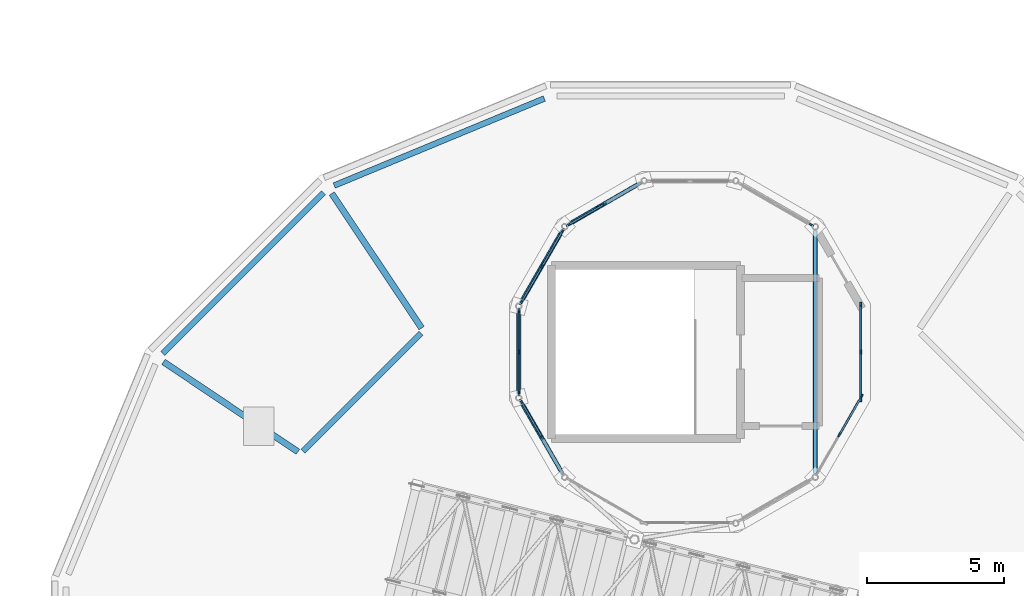
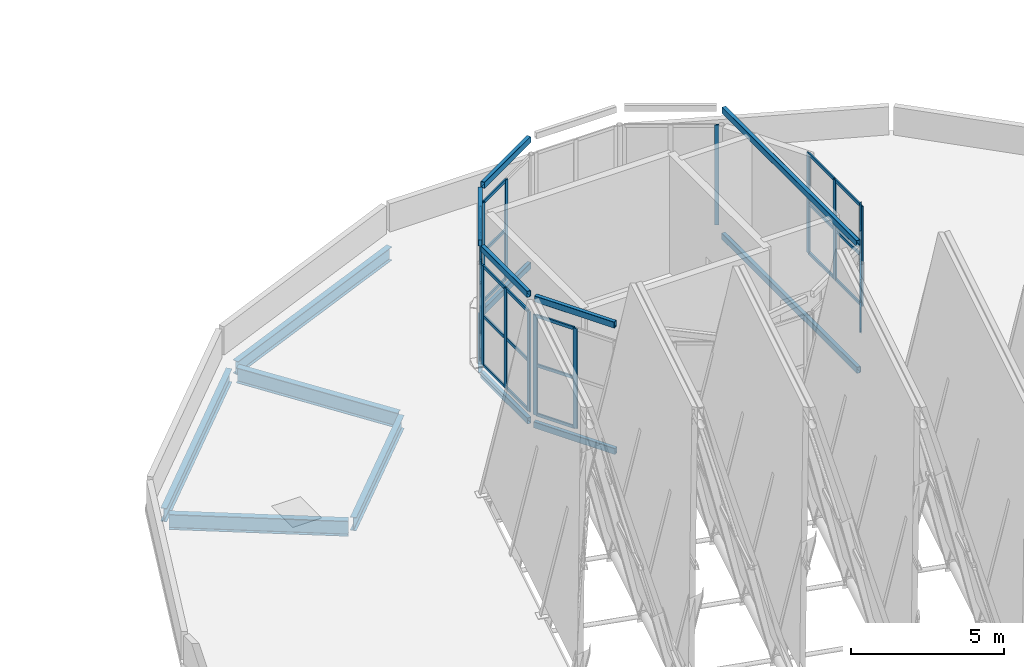
# One storey, part 15 of 51: 43 members, 15 beams, 7 elements without a shape of their own.
"""IFC4 building model written with IfcOpenShell, lengths in metres."""

from ifc_helpers import new_model, si_unit, direction, frame, origin, origin_2d, place, context, subcontext, project, spatial, rectangle, hollow_rectangle, i_section, extrude, material, material_profile, profile_set, type_object, element, aggregate, save


model = new_model("IFC4")

# Units and contexts
model_context = context("Model", 3, precision=1e-05, world=origin(), true_north=direction((0.0, 1.0)))
body_context = subcontext(model_context, "Body", "Model", "MODEL_VIEW")
ifc_project = project(units=[si_unit("LENGTHUNIT", "METRE"), si_unit("AREAUNIT", "SQUARE_METRE"), si_unit("VOLUMEUNIT", "CUBIC_METRE"), si_unit("PLANEANGLEUNIT", "RADIAN"), si_unit("MASSUNIT", "GRAM", prefix="KILO")], contexts=[model_context])

# Site, building, storey
site_placement = place(None, origin())
site = spatial("IfcSite", under=ifc_project, at=site_placement, CompositionType="ELEMENT")
building_placement = place(site_placement, origin())
building = spatial("IfcBuilding", under=site, at=building_placement, Name="Wrenclough Park School", CompositionType="ELEMENT")
storey_placement = place(building_placement, frame((0.0, 0.0, 16.800048828125)))
storey = spatial("IfcBuildingStorey", under=building, at=storey_placement, Name="L04", CompositionType="ELEMENT", Elevation=16.800048828125)

# Curtain wall, member
ifc_material_1 = material(Name="Thermally broken aluminium and low-e glass curtain wall", Category="aluminium")
curtain_wall_type = type_object("IfcCurtainWallType", Name="ENV-CW-16", PredefinedType="USERDEFINED", material=ifc_material_1)
curtain_wall_1_placement = place(storey_placement, origin())
curtain_wall_1 = element("IfcCurtainWall", 1, at=curtain_wall_1_placement, inside=storey, type_object=curtain_wall_type, Name="D1-SH cylindrical white-glazed stair-head curtain wall 179", ObjectType="CURTAIN WALL", PredefinedType="USERDEFINED")
ifc_material_2 = material(Name="Thermally broken anodised aluminium", Category="aluminium")
ifc_material_profile_1 = material_profile(ifc_material_2, rectangle(XDim=0.06005859375, YDim=0.159912109375, at=origin_2d()), Name="AL MULLION 60x160")
ifc_profile_set_1 = profile_set([ifc_material_profile_1], Name="Thermally broken anodised aluminium")
member_type_1 = type_object("IfcMemberType", Name="ENV-CWM-1", PredefinedType="MULLION", material=ifc_profile_set_1)
member_1_placement = place(storey_placement, frame((160.62109375, 43.82763671875, 0.0), z_axis=(0.0, 0.0, 1.0), x_axis=(-0.500002592159, -0.866023907196, 0.0)))
member_1 = element("IfcMember", 2, at=member_1_placement, type_object=member_type_1, Name="CW-16 mullion 1", PredefinedType="MULLION", context=body_context, shape_type="SweptSolid", body=[
    extrude(rectangle(XDim=0.06005859375, YDim=0.159912109375, at=origin_2d()), origin(), (0.0, 0.0, 1.0), 4.0),
])
aggregate(curtain_wall_1, [member_1])

# Curtain wall, members
curtain_wall_2_placement = place(storey_placement, origin())
curtain_wall_2 = element("IfcCurtainWall", 3, at=curtain_wall_2_placement, inside=storey, type_object=curtain_wall_type, Name="D1-SH cylindrical white-glazed stair-head curtain wall 181", ObjectType="CURTAIN WALL", PredefinedType="USERDEFINED")
member_2_placement = place(storey_placement, frame((153.0908203125, 44.585205078125, 0.0), z_axis=(0.0, 0.0, 1.0), x_axis=(0.500002592159, -0.866023907196, 0.0)))
member_2 = element("IfcMember", 4, at=member_2_placement, type_object=member_type_1, Name="CW-16 mullion 2", PredefinedType="MULLION", context=body_context, shape_type="SweptSolid", body=[
    extrude(rectangle(XDim=0.06005859375, YDim=0.159912109375, at=origin_2d()), origin(), (0.0, 0.0, 1.0), 4.0),
])
member_3_placement = place(storey_placement, frame((151.77880859375, 43.82763671875, 0.0), z_axis=(0.0, 0.0, 1.0), x_axis=(0.500002592159, -0.866023907196, 0.0)))
member_3 = element("IfcMember", 5, at=member_3_placement, type_object=member_type_1, Name="CW-16 mullion 3", PredefinedType="MULLION", context=body_context, shape_type="SweptSolid", body=[
    extrude(rectangle(XDim=0.06005859375, YDim=0.159912109375, at=origin_2d()), origin(), (0.0, 0.0, 1.0), 4.0),
])

curtain_wall_3_placement = place(storey_placement, origin())
curtain_wall_3 = element("IfcCurtainWall", 6, at=curtain_wall_3_placement, inside=storey, type_object=curtain_wall_type, Name="D1-SH cylindrical white-glazed stair-head curtain wall 182", ObjectType="CURTAIN WALL", PredefinedType="USERDEFINED")
member_4_placement = place(storey_placement, frame((151.572265625, 43.62109375, 0.0), z_axis=(0.0, 0.0, 1.0), x_axis=(0.866023907196, -0.500002592159, 0.0)))
member_4 = element("IfcMember", 7, at=member_4_placement, type_object=member_type_1, Name="CW-16 mullion 1", PredefinedType="MULLION", context=body_context, shape_type="SweptSolid", body=[
    extrude(rectangle(XDim=0.06005859375, YDim=0.159912109375, at=origin_2d()), origin(), (0.0, 0.0, 1.0), 4.0),
])
member_5_placement = place(storey_placement, frame((150.814697265625, 42.30908203125, 0.0), z_axis=(0.0, 0.0, 1.0), x_axis=(0.866023907196, -0.500002592159, 0.0)))
member_5 = element("IfcMember", 8, at=member_5_placement, type_object=member_type_1, Name="CW-16 mullion 2", PredefinedType="MULLION", context=body_context, shape_type="SweptSolid", body=[
    extrude(rectangle(XDim=0.06005859375, YDim=0.159912109375, at=origin_2d()), origin(), (0.0, 0.0, 1.0), 4.0),
])
member_6_placement = place(storey_placement, frame((150.057373046875, 40.9970703125, 0.0), z_axis=(0.0, 0.0, 1.0), x_axis=(0.866023907196, -0.500002592159, 0.0)))
member_6 = element("IfcMember", 9, at=member_6_placement, type_object=member_type_1, Name="CW-16 mullion 3", PredefinedType="MULLION", context=body_context, shape_type="SweptSolid", body=[
    extrude(rectangle(XDim=0.06005859375, YDim=0.159912109375, at=origin_2d()), origin(), (0.0, 0.0, 1.0), 4.0),
])

curtain_wall_4_placement = place(storey_placement, origin())
curtain_wall_4 = element("IfcCurtainWall", 10, at=curtain_wall_4_placement, inside=storey, type_object=curtain_wall_type, Name="D1-SH cylindrical white-glazed stair-head curtain wall 183", ObjectType="CURTAIN WALL", PredefinedType="USERDEFINED")
member_7_placement = place(storey_placement, frame((149.981689453125, 40.714599609375, 0.0), z_axis=(0.0, 0.0, 1.0), x_axis=(1.0, 0.0, 0.0)))
member_7 = element("IfcMember", 11, at=member_7_placement, type_object=member_type_1, Name="CW-16 mullion 1", PredefinedType="MULLION", context=body_context, shape_type="SweptSolid", body=[
    extrude(rectangle(XDim=0.06005859375, YDim=0.159912109375, at=origin_2d()), origin(), (0.0, 0.0, 1.0), 4.0),
])
member_8_placement = place(storey_placement, frame((149.981689453125, 39.199951171875, 0.0), z_axis=(0.0, 0.0, 1.0), x_axis=(1.0, 0.0, 0.0)))
member_8 = element("IfcMember", 12, at=member_8_placement, type_object=member_type_1, Name="CW-16 mullion 2", PredefinedType="MULLION", context=body_context, shape_type="SweptSolid", body=[
    extrude(rectangle(XDim=0.06005859375, YDim=0.159912109375, at=origin_2d()), origin(), (0.0, 0.0, 1.0), 4.0),
])
member_9_placement = place(storey_placement, frame((149.981689453125, 37.685546875, 0.0), z_axis=(0.0, 0.0, 1.0), x_axis=(1.0, 0.0, 0.0)))
member_9 = element("IfcMember", 13, at=member_9_placement, type_object=member_type_1, Name="CW-16 mullion 3", PredefinedType="MULLION", context=body_context, shape_type="SweptSolid", body=[
    extrude(rectangle(XDim=0.06005859375, YDim=0.159912109375, at=origin_2d()), origin(), (0.0, 0.0, 1.0), 4.0),
])

curtain_wall_5_placement = place(storey_placement, origin())
curtain_wall_5 = element("IfcCurtainWall", 14, at=curtain_wall_5_placement, inside=storey, type_object=curtain_wall_type, Name="D1-SH cylindrical white-glazed stair-head curtain wall 184", ObjectType="CURTAIN WALL", PredefinedType="USERDEFINED")
member_10_placement = place(storey_placement, frame((150.057373046875, 37.40283203125, 0.0), z_axis=(0.0, 0.0, 1.0), x_axis=(0.866023907196, 0.500002592159, 0.0)))
member_10 = element("IfcMember", 15, at=member_10_placement, type_object=member_type_1, Name="CW-16 mullion 1", PredefinedType="MULLION", context=body_context, shape_type="SweptSolid", body=[
    extrude(rectangle(XDim=0.06005859375, YDim=0.159912109375, at=origin_2d()), origin(), (0.0, 0.0, 1.0), 4.0),
])
member_11_placement = place(storey_placement, frame((150.814697265625, 36.0908203125, 0.0), z_axis=(0.0, 0.0, 1.0), x_axis=(0.866023907196, 0.500002592159, 0.0)))
member_11 = element("IfcMember", 16, at=member_11_placement, type_object=member_type_1, Name="CW-16 mullion 2", PredefinedType="MULLION", context=body_context, shape_type="SweptSolid", body=[
    extrude(rectangle(XDim=0.06005859375, YDim=0.159912109375, at=origin_2d()), origin(), (0.0, 0.0, 1.0), 4.0),
])

curtain_wall_6_placement = place(storey_placement, origin())
curtain_wall_6 = element("IfcCurtainWall", 17, at=curtain_wall_6_placement, inside=storey, type_object=curtain_wall_type, Name="D1-SH cylindrical white-glazed stair-head curtain wall 188", ObjectType="CURTAIN WALL", PredefinedType="USERDEFINED")
member_12_placement = place(storey_placement, frame((161.638916015625, 36.183837890625, 0.0), z_axis=(0.0, 0.0, 1.0), x_axis=(-0.86601678316, 0.500014931062, 0.0)))
member_12 = element("IfcMember", 18, at=member_12_placement, type_object=member_type_1, Name="CW-16 mullion 2", PredefinedType="MULLION", context=body_context, shape_type="SweptSolid", body=[
    extrude(rectangle(XDim=0.06005859375, YDim=0.159912109375, at=origin_2d()), origin(), (0.0, 0.0, 1.0), 4.0),
])
member_13_placement = place(storey_placement, frame((162.4501953125, 37.589111328125, 0.0), z_axis=(0.0, 0.0, 1.0), x_axis=(-0.86601678316, 0.500014931062, 0.0)))
member_13 = element("IfcMember", 19, at=member_13_placement, type_object=member_type_1, Name="CW-16 mullion 3", PredefinedType="MULLION", context=body_context, shape_type="SweptSolid", body=[
    extrude(rectangle(XDim=0.06005859375, YDim=0.159912109375, at=origin_2d()), origin(), (0.0, 0.0, 1.0), 4.0),
])

curtain_wall_7_placement = place(storey_placement, origin())
curtain_wall_7 = element("IfcCurtainWall", 20, at=curtain_wall_7_placement, inside=storey, type_object=curtain_wall_type, Name="D1-SH cylindrical white-glazed stair-head curtain wall 189", ObjectType="CURTAIN WALL", PredefinedType="USERDEFINED")
member_14_placement = place(storey_placement, frame((162.418212890625, 37.469970703125, 0.0), z_axis=(0.0, 0.0, 1.0), x_axis=(-1.0, 0.0, 0.0)))
member_14 = element("IfcMember", 21, at=member_14_placement, type_object=member_type_1, Name="CW-16 mullion 1", PredefinedType="MULLION", context=body_context, shape_type="SweptSolid", body=[
    extrude(rectangle(XDim=0.06005859375, YDim=0.159912109375, at=origin_2d()), origin(), (0.0, 0.0, 1.0), 4.0),
])
member_15_placement = place(storey_placement, frame((162.418212890625, 39.199951171875, 0.0), z_axis=(0.0, 0.0, 1.0), x_axis=(-1.0, 0.0, 0.0)))
member_15 = element("IfcMember", 22, at=member_15_placement, type_object=member_type_1, Name="CW-16 mullion 2", PredefinedType="MULLION", context=body_context, shape_type="SweptSolid", body=[
    extrude(rectangle(XDim=0.06005859375, YDim=0.159912109375, at=origin_2d()), origin(), (0.0, 0.0, 1.0), 4.0),
])
member_16_placement = place(storey_placement, frame((162.418212890625, 40.929931640625, 0.0), z_axis=(0.0, 0.0, 1.0), x_axis=(-1.0, 0.0, 0.0)))
member_16 = element("IfcMember", 23, at=member_16_placement, type_object=member_type_1, Name="CW-16 mullion 3", PredefinedType="MULLION", context=body_context, shape_type="SweptSolid", body=[
    extrude(rectangle(XDim=0.06005859375, YDim=0.159912109375, at=origin_2d()), origin(), (0.0, 0.0, 1.0), 4.0),
])

# Member
ifc_material_profile_2 = material_profile(ifc_material_2, rectangle(XDim=0.06005859375, YDim=0.1201171875, at=origin_2d()), Name="AL TRANSOM 60x120")
ifc_profile_set_2 = profile_set([ifc_material_profile_2], Name="Thermally broken anodised aluminium")
member_type_2 = type_object("IfcMemberType", Name="ENV-CWT-1", PredefinedType="USERDEFINED", material=ifc_profile_set_2)
member_17_placement = place(storey_placement, frame((153.06494140625, 44.5703125, 0.030029296875), z_axis=(-0.866003949776, -0.500037157592, 0.0), x_axis=(0.500037157592, -0.866003949776, 0.0)))
member_17 = element("IfcMember", 24, at=member_17_placement, type_object=member_type_2, Name="CW-16 transom 2.1", ObjectType="TRANSOM", PredefinedType="USERDEFINED", context=body_context, shape_type="SweptSolid", body=[
    extrude(rectangle(XDim=0.06005859375, YDim=0.1201171875, at=origin_2d()), origin(), (0.0, 0.0, 1.0), 1.455078125),
])

member_18_placement = place(storey_placement, frame((153.06494140625, 44.5703125, 2.0), z_axis=(-0.866003949776, -0.500037157592, 0.0), x_axis=(0.500037157592, -0.866003949776, 0.0)))
member_18 = element("IfcMember", 25, at=member_18_placement, type_object=member_type_2, Name="CW-16 transom 2.2", ObjectType="TRANSOM", PredefinedType="USERDEFINED", context=body_context, shape_type="SweptSolid", body=[
    extrude(rectangle(XDim=0.06005859375, YDim=0.1201171875, at=origin_2d()), origin(), (0.0, 0.0, 1.0), 1.455078125),
])

member_19_placement = place(storey_placement, frame((153.06494140625, 44.5703125, 3.969970703125), z_axis=(-0.866003949776, -0.500037157592, 0.0), x_axis=(0.500037157592, -0.866003949776, 0.0)))
member_19 = element("IfcMember", 26, at=member_19_placement, type_object=member_type_2, Name="CW-16 transom 2.3", ObjectType="TRANSOM", PredefinedType="USERDEFINED", context=body_context, shape_type="SweptSolid", body=[
    extrude(rectangle(XDim=0.06005859375, YDim=0.1201171875, at=origin_2d()), origin(), (0.0, 0.0, 1.0), 1.455078125),
])

aggregate(curtain_wall_2, [member_2, member_3, member_17, member_18, member_19])

member_20_placement = place(storey_placement, frame((151.557373046875, 43.59521484375, 0.030029296875), z_axis=(-0.499964504253, -0.866045896294, 0.0), x_axis=(0.866045896294, -0.499964504253, 0.0)))
member_20 = element("IfcMember", 27, at=member_20_placement, type_object=member_type_2, Name="CW-16 transom 1.1", ObjectType="TRANSOM", PredefinedType="USERDEFINED", context=body_context, shape_type="SweptSolid", body=[
    extrude(rectangle(XDim=0.06005859375, YDim=0.1201171875, at=origin_2d()), origin(), (0.0, 0.0, 1.0), 1.455078125),
])

member_21_placement = place(storey_placement, frame((151.557373046875, 43.59521484375, 2.0), z_axis=(-0.499964504253, -0.866045896294, 0.0), x_axis=(0.866045896294, -0.499964504253, 0.0)))
member_21 = element("IfcMember", 28, at=member_21_placement, type_object=member_type_2, Name="CW-16 transom 1.2", ObjectType="TRANSOM", PredefinedType="USERDEFINED", context=body_context, shape_type="SweptSolid", body=[
    extrude(rectangle(XDim=0.06005859375, YDim=0.1201171875, at=origin_2d()), origin(), (0.0, 0.0, 1.0), 1.455078125),
])

member_22_placement = place(storey_placement, frame((151.557373046875, 43.59521484375, 3.969970703125), z_axis=(-0.499964504253, -0.866045896294, 0.0), x_axis=(0.866045896294, -0.499964504253, 0.0)))
member_22 = element("IfcMember", 29, at=member_22_placement, type_object=member_type_2, Name="CW-16 transom 1.3", ObjectType="TRANSOM", PredefinedType="USERDEFINED", context=body_context, shape_type="SweptSolid", body=[
    extrude(rectangle(XDim=0.06005859375, YDim=0.1201171875, at=origin_2d()), origin(), (0.0, 0.0, 1.0), 1.455078125),
])

member_23_placement = place(storey_placement, frame((150.7998046875, 42.283203125, 0.030029296875), z_axis=(-0.499964504253, -0.866045896294, 0.0), x_axis=(0.866045896294, -0.499964504253, 0.0)))
member_23 = element("IfcMember", 30, at=member_23_placement, type_object=member_type_2, Name="CW-16 transom 2.1", ObjectType="TRANSOM", PredefinedType="USERDEFINED", context=body_context, shape_type="SweptSolid", body=[
    extrude(rectangle(XDim=0.06005859375, YDim=0.1201171875, at=origin_2d()), origin(), (0.0, 0.0, 1.0), 1.455078125),
])

member_24_placement = place(storey_placement, frame((150.7998046875, 42.283203125, 2.0), z_axis=(-0.499964504253, -0.866045896294, 0.0), x_axis=(0.866045896294, -0.499964504253, 0.0)))
member_24 = element("IfcMember", 31, at=member_24_placement, type_object=member_type_2, Name="CW-16 transom 2.2", ObjectType="TRANSOM", PredefinedType="USERDEFINED", context=body_context, shape_type="SweptSolid", body=[
    extrude(rectangle(XDim=0.06005859375, YDim=0.1201171875, at=origin_2d()), origin(), (0.0, 0.0, 1.0), 1.455078125),
])

member_25_placement = place(storey_placement, frame((150.7998046875, 42.283203125, 3.969970703125), z_axis=(-0.499964504253, -0.866045896294, 0.0), x_axis=(0.866045896294, -0.499964504253, 0.0)))
member_25 = element("IfcMember", 32, at=member_25_placement, type_object=member_type_2, Name="CW-16 transom 2.3", ObjectType="TRANSOM", PredefinedType="USERDEFINED", context=body_context, shape_type="SweptSolid", body=[
    extrude(rectangle(XDim=0.06005859375, YDim=0.1201171875, at=origin_2d()), origin(), (0.0, 0.0, 1.0), 1.455078125),
])

aggregate(curtain_wall_3, [member_4, member_5, member_6, member_20, member_21, member_22, member_23, member_24, member_25])

member_26_placement = place(storey_placement, frame((149.981689453125, 40.6845703125, 0.030029296875), z_axis=(0.0, -1.0, 0.0), x_axis=(1.0, 0.0, 0.0)))
member_26 = element("IfcMember", 33, at=member_26_placement, type_object=member_type_2, Name="CW-16 transom 1.1", ObjectType="TRANSOM", PredefinedType="USERDEFINED", context=body_context, shape_type="SweptSolid", body=[
    extrude(rectangle(XDim=0.06005859375, YDim=0.1201171875, at=origin_2d()), origin(), (0.0, 0.0, 1.0), 1.45458984375),
])

member_27_placement = place(storey_placement, frame((149.981689453125, 40.6845703125, 2.0), z_axis=(0.0, -1.0, 0.0), x_axis=(1.0, 0.0, 0.0)))
member_27 = element("IfcMember", 34, at=member_27_placement, type_object=member_type_2, Name="CW-16 transom 1.2", ObjectType="TRANSOM", PredefinedType="USERDEFINED", context=body_context, shape_type="SweptSolid", body=[
    extrude(rectangle(XDim=0.06005859375, YDim=0.1201171875, at=origin_2d()), origin(), (0.0, 0.0, 1.0), 1.45458984375),
])

member_28_placement = place(storey_placement, frame((149.981689453125, 40.6845703125, 3.969970703125), z_axis=(0.0, -1.0, 0.0), x_axis=(1.0, 0.0, 0.0)))
member_28 = element("IfcMember", 35, at=member_28_placement, type_object=member_type_2, Name="CW-16 transom 1.3", ObjectType="TRANSOM", PredefinedType="USERDEFINED", context=body_context, shape_type="SweptSolid", body=[
    extrude(rectangle(XDim=0.06005859375, YDim=0.1201171875, at=origin_2d()), origin(), (0.0, 0.0, 1.0), 1.45458984375),
])

member_29_placement = place(storey_placement, frame((149.981689453125, 39.169921875, 0.030029296875), z_axis=(0.0, -1.0, 0.0), x_axis=(1.0, 0.0, 0.0)))
member_29 = element("IfcMember", 36, at=member_29_placement, type_object=member_type_2, Name="CW-16 transom 2.1", ObjectType="TRANSOM", PredefinedType="USERDEFINED", context=body_context, shape_type="SweptSolid", body=[
    extrude(rectangle(XDim=0.06005859375, YDim=0.1201171875, at=origin_2d()), origin(), (0.0, 0.0, 1.0), 1.454345703125),
])

member_30_placement = place(storey_placement, frame((149.981689453125, 39.169921875, 2.0), z_axis=(0.0, -1.0, 0.0), x_axis=(1.0, 0.0, 0.0)))
member_30 = element("IfcMember", 37, at=member_30_placement, type_object=member_type_2, Name="CW-16 transom 2.2", ObjectType="TRANSOM", PredefinedType="USERDEFINED", context=body_context, shape_type="SweptSolid", body=[
    extrude(rectangle(XDim=0.06005859375, YDim=0.1201171875, at=origin_2d()), origin(), (0.0, 0.0, 1.0), 1.454345703125),
])

member_31_placement = place(storey_placement, frame((149.981689453125, 39.169921875, 3.969970703125), z_axis=(0.0, -1.0, 0.0), x_axis=(1.0, 0.0, 0.0)))
member_31 = element("IfcMember", 38, at=member_31_placement, type_object=member_type_2, Name="CW-16 transom 2.3", ObjectType="TRANSOM", PredefinedType="USERDEFINED", context=body_context, shape_type="SweptSolid", body=[
    extrude(rectangle(XDim=0.06005859375, YDim=0.1201171875, at=origin_2d()), origin(), (0.0, 0.0, 1.0), 1.454345703125),
])

aggregate(curtain_wall_4, [member_7, member_8, member_9, member_26, member_27, member_28, member_29, member_30, member_31])

member_32_placement = place(storey_placement, frame((150.072265625, 37.376953125, 0.030029296875), z_axis=(0.500037157592, -0.866003949776, 0.0), x_axis=(0.866003949776, 0.500037157592, 0.0)))
member_32 = element("IfcMember", 39, at=member_32_placement, type_object=member_type_2, Name="CW-16 transom 1.1", ObjectType="TRANSOM", PredefinedType="USERDEFINED", context=body_context, shape_type="SweptSolid", body=[
    extrude(rectangle(XDim=0.06005859375, YDim=0.1201171875, at=origin_2d()), origin(), (0.0, 0.0, 1.0), 1.455078125),
])

member_33_placement = place(storey_placement, frame((150.072265625, 37.376953125, 2.0), z_axis=(0.500037157592, -0.866003949776, 0.0), x_axis=(0.866003949776, 0.500037157592, 0.0)))
member_33 = element("IfcMember", 40, at=member_33_placement, type_object=member_type_2, Name="CW-16 transom 1.2", ObjectType="TRANSOM", PredefinedType="USERDEFINED", context=body_context, shape_type="SweptSolid", body=[
    extrude(rectangle(XDim=0.06005859375, YDim=0.1201171875, at=origin_2d()), origin(), (0.0, 0.0, 1.0), 1.455078125),
])

member_34_placement = place(storey_placement, frame((150.072265625, 37.376953125, 3.969970703125), z_axis=(0.500037157592, -0.866003949776, 0.0), x_axis=(0.866003949776, 0.500037157592, 0.0)))
member_34 = element("IfcMember", 41, at=member_34_placement, type_object=member_type_2, Name="CW-16 transom 1.3", ObjectType="TRANSOM", PredefinedType="USERDEFINED", context=body_context, shape_type="SweptSolid", body=[
    extrude(rectangle(XDim=0.06005859375, YDim=0.1201171875, at=origin_2d()), origin(), (0.0, 0.0, 1.0), 1.455078125),
])

aggregate(curtain_wall_5, [member_10, member_11, member_32, member_33, member_34])

member_35_placement = place(storey_placement, frame((161.654052734375, 36.2099609375, 0.030029296875), z_axis=(0.50003806587, 0.866003425329, 0.0), x_axis=(-0.866003425329, 0.50003806587, 0.0)))
member_35 = element("IfcMember", 42, at=member_35_placement, type_object=member_type_2, Name="CW-16 transom 2.1", ObjectType="TRANSOM", PredefinedType="USERDEFINED", context=body_context, shape_type="SweptSolid", body=[
    extrude(rectangle(XDim=0.06005859375, YDim=0.1201171875, at=origin_2d()), origin(), (0.0, 0.0, 1.0), 1.5625),
])

member_36_placement = place(storey_placement, frame((161.654052734375, 36.2099609375, 2.0), z_axis=(0.50003806587, 0.866003425329, 0.0), x_axis=(-0.866003425329, 0.50003806587, 0.0)))
member_36 = element("IfcMember", 43, at=member_36_placement, type_object=member_type_2, Name="CW-16 transom 2.2", ObjectType="TRANSOM", PredefinedType="USERDEFINED", context=body_context, shape_type="SweptSolid", body=[
    extrude(rectangle(XDim=0.06005859375, YDim=0.1201171875, at=origin_2d()), origin(), (0.0, 0.0, 1.0), 1.5625),
])

member_37_placement = place(storey_placement, frame((161.654052734375, 36.2099609375, 3.969970703125), z_axis=(0.50003806587, 0.866003425329, 0.0), x_axis=(-0.866003425329, 0.50003806587, 0.0)))
member_37 = element("IfcMember", 44, at=member_37_placement, type_object=member_type_2, Name="CW-16 transom 2.3", ObjectType="TRANSOM", PredefinedType="USERDEFINED", context=body_context, shape_type="SweptSolid", body=[
    extrude(rectangle(XDim=0.06005859375, YDim=0.1201171875, at=origin_2d()), origin(), (0.0, 0.0, 1.0), 1.5625),
])

aggregate(curtain_wall_6, [member_12, member_13, member_35, member_36, member_37])

member_38_placement = place(storey_placement, frame((162.418212890625, 37.5, 0.030029296875), z_axis=(0.0, 1.0, 0.0), x_axis=(-1.0, 0.0, 0.0)))
member_38 = element("IfcMember", 45, at=member_38_placement, type_object=member_type_2, Name="CW-16 transom 1.1", ObjectType="TRANSOM", PredefinedType="USERDEFINED", context=body_context, shape_type="SweptSolid", body=[
    extrude(rectangle(XDim=0.06005859375, YDim=0.1201171875, at=origin_2d()), origin(), (0.0, 0.0, 1.0), 1.669921875),
])

member_39_placement = place(storey_placement, frame((162.418212890625, 37.5, 2.0), z_axis=(0.0, 1.0, 0.0), x_axis=(-1.0, 0.0, 0.0)))
member_39 = element("IfcMember", 46, at=member_39_placement, type_object=member_type_2, Name="CW-16 transom 1.2", ObjectType="TRANSOM", PredefinedType="USERDEFINED", context=body_context, shape_type="SweptSolid", body=[
    extrude(rectangle(XDim=0.06005859375, YDim=0.1201171875, at=origin_2d()), origin(), (0.0, 0.0, 1.0), 1.669921875),
])

member_40_placement = place(storey_placement, frame((162.418212890625, 37.5, 3.969970703125), z_axis=(0.0, 1.0, 0.0), x_axis=(-1.0, 0.0, 0.0)))
member_40 = element("IfcMember", 47, at=member_40_placement, type_object=member_type_2, Name="CW-16 transom 1.3", ObjectType="TRANSOM", PredefinedType="USERDEFINED", context=body_context, shape_type="SweptSolid", body=[
    extrude(rectangle(XDim=0.06005859375, YDim=0.1201171875, at=origin_2d()), origin(), (0.0, 0.0, 1.0), 1.669921875),
])

member_41_placement = place(storey_placement, frame((162.418212890625, 39.22998046875, 0.030029296875), z_axis=(0.0, 1.0, 0.0), x_axis=(-1.0, 0.0, 0.0)))
member_41 = element("IfcMember", 48, at=member_41_placement, type_object=member_type_2, Name="CW-16 transom 2.1", ObjectType="TRANSOM", PredefinedType="USERDEFINED", context=body_context, shape_type="SweptSolid", body=[
    extrude(rectangle(XDim=0.06005859375, YDim=0.1201171875, at=origin_2d()), origin(), (0.0, 0.0, 1.0), 1.669921875),
])

member_42_placement = place(storey_placement, frame((162.418212890625, 39.22998046875, 2.0), z_axis=(0.0, 1.0, 0.0), x_axis=(-1.0, 0.0, 0.0)))
member_42 = element("IfcMember", 49, at=member_42_placement, type_object=member_type_2, Name="CW-16 transom 2.2", ObjectType="TRANSOM", PredefinedType="USERDEFINED", context=body_context, shape_type="SweptSolid", body=[
    extrude(rectangle(XDim=0.06005859375, YDim=0.1201171875, at=origin_2d()), origin(), (0.0, 0.0, 1.0), 1.669921875),
])

member_43_placement = place(storey_placement, frame((162.418212890625, 39.22998046875, 3.969970703125), z_axis=(0.0, 1.0, 0.0), x_axis=(-1.0, 0.0, 0.0)))
member_43 = element("IfcMember", 50, at=member_43_placement, type_object=member_type_2, Name="CW-16 transom 2.3", ObjectType="TRANSOM", PredefinedType="USERDEFINED", context=body_context, shape_type="SweptSolid", body=[
    extrude(rectangle(XDim=0.06005859375, YDim=0.1201171875, at=origin_2d()), origin(), (0.0, 0.0, 1.0), 1.669921875),
])

aggregate(curtain_wall_7, [member_14, member_15, member_16, member_38, member_39, member_40, member_41, member_42, member_43])

# Beams
ifc_material_3 = material(Name="Structural steel S355", Category="steel")
ifc_material_profile_3 = material_profile(ifc_material_3, hollow_rectangle(XDim=0.14990234375, YDim=0.25, WallThickness=0.010009765625, InnerFilletRadius=0.010009765625, OuterFilletRadius=0.014892578125, at=origin_2d()), Name="RHS 250x150x10.0")
ifc_profile_set_3 = profile_set([ifc_material_profile_3], Name="Structural steel S355")
beam_type_1 = type_object("IfcBeamType", Name="STR-BM-RHS250", PredefinedType="SPANDREL", material=ifc_profile_set_3)
beam_1_placement = place(storey_placement, frame((154.4169921875, 45.36474609375, -0.364990234375), z_axis=(-0.866012465712, -0.500022408728, 0.0), x_axis=(0.500022408728, -0.866012465712, 0.0)))
element("IfcBeam", 51, at=beam_1_placement, inside=storey, type_object=beam_type_1, Name="D1-SH L04 cylindrical ring beam 3", PredefinedType="SPANDREL", context=body_context, shape_type="SweptSolid", body=[
    extrude(hollow_rectangle(XDim=0.14990234375, YDim=0.25, WallThickness=0.010009765625, InnerFilletRadius=0.010009765625, OuterFilletRadius=0.014892578125, at=origin_2d()), origin(), (0.0, 0.0, 1.0), 3.076416015625),
])
beam_2_placement = place(storey_placement, frame((154.39208984375, 45.35009765625, 4.679931640625), z_axis=(-0.8660347431, -0.499983823482, 0.0), x_axis=(0.499983823482, -0.8660347431, 0.0)))
element("IfcBeam", 52, at=beam_2_placement, inside=storey, type_object=beam_type_1, Name="D1-SH L05 top cylindrical eave ring beam 3", PredefinedType="SPANDREL", context=body_context, shape_type="SweptSolid", body=[
    extrude(hollow_rectangle(XDim=0.14990234375, YDim=0.25, WallThickness=0.010009765625, InnerFilletRadius=0.010009765625, OuterFilletRadius=0.014892578125, at=origin_2d()), origin(), (0.0, 0.0, 1.0), 3.0185546875),
])
beam_3_placement = place(storey_placement, frame((151.57373046875, 43.647216796875, -0.364990234375), z_axis=(-0.500022408728, -0.866012465712, 0.0), x_axis=(0.866012465712, -0.500022408728, 0.0)))
element("IfcBeam", 53, at=beam_3_placement, inside=storey, type_object=beam_type_1, Name="D1-SH L04 cylindrical ring beam 4", PredefinedType="SPANDREL", context=body_context, shape_type="SweptSolid", body=[
    extrude(hollow_rectangle(XDim=0.14990234375, YDim=0.25, WallThickness=0.010009765625, InnerFilletRadius=0.010009765625, OuterFilletRadius=0.014892578125, at=origin_2d()), origin(), (0.0, 0.0, 1.0), 3.076416015625),
])
beam_4_placement = place(storey_placement, frame((151.55908203125, 43.622314453125, 4.679931640625), z_axis=(-0.499983823482, -0.8660347431, 0.0), x_axis=(0.8660347431, -0.499983823482, 0.0)))
element("IfcBeam", 54, at=beam_4_placement, inside=storey, type_object=beam_type_1, Name="D1-SH L05 top cylindrical eave ring beam 4", PredefinedType="SPANDREL", context=body_context, shape_type="SweptSolid", body=[
    extrude(hollow_rectangle(XDim=0.14990234375, YDim=0.25, WallThickness=0.010009765625, InnerFilletRadius=0.010009765625, OuterFilletRadius=0.014892578125, at=origin_2d()), origin(), (0.0, 0.0, 1.0), 3.0185546875),
])
beam_5_placement = place(storey_placement, frame((149.9697265625, 40.73828125, -0.364990234375), z_axis=(0.0, -1.0, 0.0), x_axis=(1.0, 0.0, 0.0)))
element("IfcBeam", 55, at=beam_5_placement, inside=storey, type_object=beam_type_1, Name="D1-SH L04 cylindrical ring beam 5", PredefinedType="SPANDREL", context=body_context, shape_type="SweptSolid", body=[
    extrude(hollow_rectangle(XDim=0.14990234375, YDim=0.25, WallThickness=0.010009765625, InnerFilletRadius=0.010009765625, OuterFilletRadius=0.014892578125, at=origin_2d()), origin(), (0.0, 0.0, 1.0), 3.07666015625),
])
beam_6_placement = place(storey_placement, frame((149.9697265625, 40.70947265625, 4.679931640625), z_axis=(0.0, -1.0, 0.0), x_axis=(1.0, 0.0, 0.0)))
element("IfcBeam", 56, at=beam_6_placement, inside=storey, type_object=beam_type_1, Name="D1-SH L05 top cylindrical eave ring beam 5", PredefinedType="SPANDREL", context=body_context, shape_type="SweptSolid", body=[
    extrude(hollow_rectangle(XDim=0.14990234375, YDim=0.25, WallThickness=0.010009765625, InnerFilletRadius=0.010009765625, OuterFilletRadius=0.014892578125, at=origin_2d()), origin(), (0.0, 0.0, 1.0), 3.018798828125),
])
beam_7_placement = place(storey_placement, frame((150.035400390625, 37.4169921875, -0.364990234375), z_axis=(0.500022408728, -0.866012465712, 0.0), x_axis=(0.866012465712, 0.500022408728, 0.0)))
element("IfcBeam", 57, at=beam_7_placement, inside=storey, type_object=beam_type_1, Name="D1-SH L04 cylindrical ring beam 6", PredefinedType="SPANDREL", context=body_context, shape_type="SweptSolid", body=[
    extrude(hollow_rectangle(XDim=0.14990234375, YDim=0.25, WallThickness=0.010009765625, InnerFilletRadius=0.010009765625, OuterFilletRadius=0.014892578125, at=origin_2d()), origin(), (0.0, 0.0, 1.0), 3.076416015625),
])
beam_8_placement = place(storey_placement, frame((150.0498046875, 37.39208984375, 4.679931640625), z_axis=(0.499983823482, -0.8660347431, 0.0), x_axis=(0.8660347431, 0.499983823482, 0.0)))
element("IfcBeam", 58, at=beam_8_placement, inside=storey, type_object=beam_type_1, Name="D1-SH L05 top cylindrical eave ring beam 6", PredefinedType="SPANDREL", context=body_context, shape_type="SweptSolid", body=[
    extrude(hollow_rectangle(XDim=0.14990234375, YDim=0.25, WallThickness=0.010009765625, InnerFilletRadius=0.010009765625, OuterFilletRadius=0.014892578125, at=origin_2d()), origin(), (0.0, 0.0, 1.0), 3.0185546875),
])
beam_9_placement = place(storey_placement, frame((160.7607421875, 34.770263671875, -0.364990234375), z_axis=(0.0, 1.0, 0.0), x_axis=(-1.0, 0.0, 0.0)))
element("IfcBeam", 59, at=beam_9_placement, inside=storey, type_object=beam_type_1, Name="D1-SH L04 cylindrical ring beam 10", PredefinedType="SPANDREL", context=body_context, shape_type="SweptSolid", body=[
    extrude(hollow_rectangle(XDim=0.14990234375, YDim=0.25, WallThickness=0.010009765625, InnerFilletRadius=0.010009765625, OuterFilletRadius=0.014892578125, at=origin_2d()), origin(), (0.0, 0.0, 1.0), 8.859619140625),
])
beam_10_placement = place(storey_placement, frame((160.7607421875, 34.79931640625, 4.679931640625), z_axis=(0.0, 1.0, 0.0), x_axis=(-1.0, 0.0, 0.0)))
element("IfcBeam", 60, at=beam_10_placement, inside=storey, type_object=beam_type_1, Name="D1-SH L05 top cylindrical eave ring beam 10", PredefinedType="SPANDREL", context=body_context, shape_type="SweptSolid", body=[
    extrude(hollow_rectangle(XDim=0.14990234375, YDim=0.25, WallThickness=0.010009765625, InnerFilletRadius=0.010009765625, OuterFilletRadius=0.014892578125, at=origin_2d()), origin(), (0.0, 0.0, 1.0), 8.801513671875),
])
ifc_material_profile_4 = material_profile(ifc_material_3, i_section(OverallWidth=0.209228515625, OverallDepth=0.533203125, WebThickness=0.010009765625, FlangeThickness=0.015625, FilletRadius=0.0126953125, at=origin_2d()), Name="UKB 533x210x92")
ifc_profile_set_4 = profile_set([ifc_material_profile_4], Name="Structural steel S355")
beam_type_2 = type_object("IfcBeamType", Name="STR-BM-UKB533A", PredefinedType="BEAM", material=ifc_profile_set_4)
beam_11_placement = place(storey_placement, frame((146.413330078125, 39.88330078125, -0.491455078125), z_axis=(-0.707106781187, -0.707106781187, 0.0), x_axis=(0.707106781187, -0.707106781187, 0.0)))
element("IfcBeam", 61, at=beam_11_placement, inside=storey, type_object=beam_type_2, Name="D1 L04 middle ring beam 6", PredefinedType="BEAM", context=body_context, shape_type="SweptSolid", body=[
    extrude(i_section(OverallWidth=0.209228515625, OverallDepth=0.533203125, WebThickness=0.010009765625, FlangeThickness=0.015625, FilletRadius=0.0126953125, at=origin_2d()), origin(), (0.0, 0.0, 1.0), 6.076416015625),
])
ifc_material_profile_5 = material_profile(ifc_material_3, i_section(OverallWidth=0.210693359375, OverallDepth=0.53955078125, WebThickness=0.01171875, FlangeThickness=0.018798828125, FilletRadius=0.0126953125, at=origin_2d()), Name="UKB 533x210x109")
ifc_profile_set_5 = profile_set([ifc_material_profile_5], Name="Structural steel S355")
beam_type_3 = type_object("IfcBeamType", Name="STR-BM-UKB533B", PredefinedType="SPANDREL", material=ifc_profile_set_5)
for number, where, z_axis, x_axis, name in (
    (62, (150.8984375, 48.4267578125, -0.49462890625), (-0.923880985108, -0.382679925467, 0.0), (0.382679925467, -0.923880985108, 0.0), "D1 L04 outer ring spandrel beam 5"),
    (63, (142.857666015625, 44.996826171875, -0.49462890625), (-0.707106781187, -0.707106781187, 0.0), (0.707106781187, -0.707106781187, 0.0), "D1 L04 outer ring spandrel beam 6"),
):
    element("IfcBeam", number, at=place(storey_placement, frame(where, z_axis=z_axis, x_axis=x_axis)), inside=storey, type_object=beam_type_3, Name=name, PredefinedType="SPANDREL", context=body_context, shape_type="SweptSolid", body=[
        extrude(i_section(OverallWidth=0.210693359375, OverallDepth=0.53955078125, WebThickness=0.01171875, FlangeThickness=0.018798828125, FilletRadius=0.0126953125, at=origin_2d()), origin(), (0.0, 0.0, 1.0), 8.279541015625),
    ])
ifc_material_profile_6 = material_profile(ifc_material_3, i_section(OverallWidth=0.22900390625, OverallDepth=0.6123046875, WebThickness=0.011962890625, FlangeThickness=0.01953125, FilletRadius=0.0126953125, at=origin_2d()), Name="UKB 610x229x125")
ifc_profile_set_6 = profile_set([ifc_material_profile_6], Name="Structural steel S355")
beam_type_4 = type_object("IfcBeamType", Name="STR-BM-UKB610", PredefinedType="BEAM", material=ifc_profile_set_6)
for number, where, z_axis, x_axis, name in (
    (64, (143.16064453125, 44.966796875, -0.53125), (0.555589782054, -0.831456549723, 0.0), (0.831456549723, 0.555589782054, 0.0), "D1 L04 radial girder 6"),
    (65, (137.033203125, 38.83935546875, -0.53125), (0.831456549723, -0.555589782054, 0.0), (0.555589782054, 0.831456549723, 0.0), "D1 L04 radial girder 7"),
):
    element("IfcBeam", number, at=place(storey_placement, frame(where, z_axis=z_axis, x_axis=x_axis)), inside=storey, type_object=beam_type_4, Name=name, PredefinedType="BEAM", context=body_context, shape_type="SweptSolid", body=[
        extrude(i_section(OverallWidth=0.22900390625, OverallDepth=0.6123046875, WebThickness=0.011962890625, FlangeThickness=0.01953125, FilletRadius=0.0126953125, at=origin_2d()), origin(), (0.0, 0.0, 1.0), 5.887939453125),
    ])

save(model, "model.ifc")
